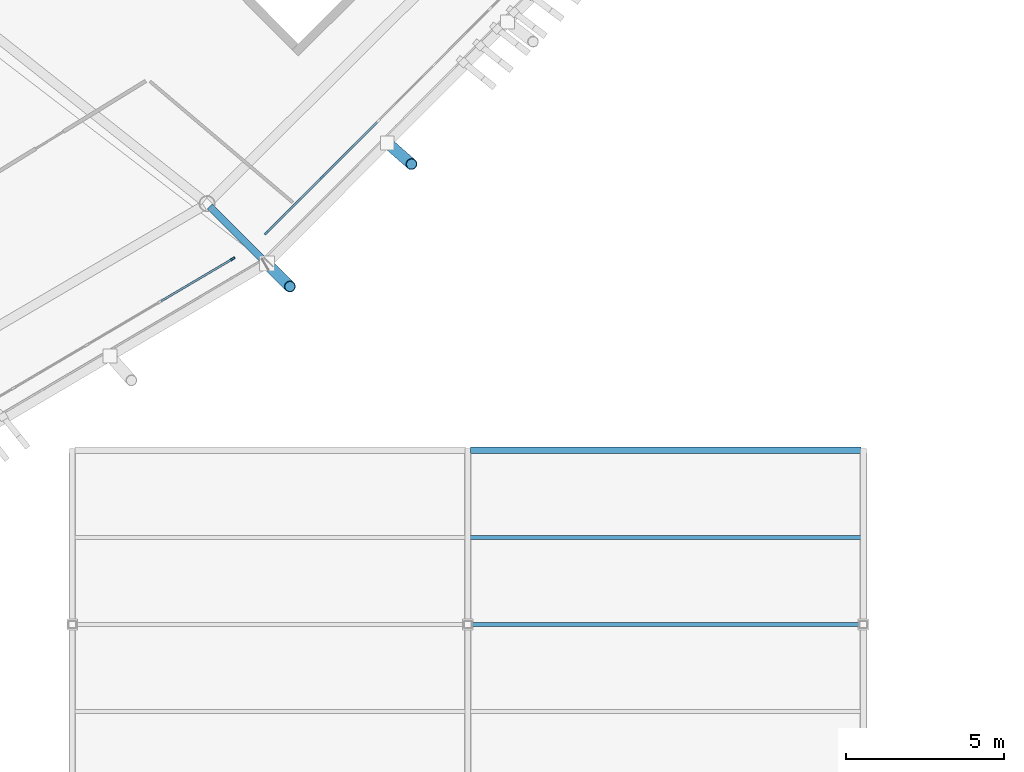
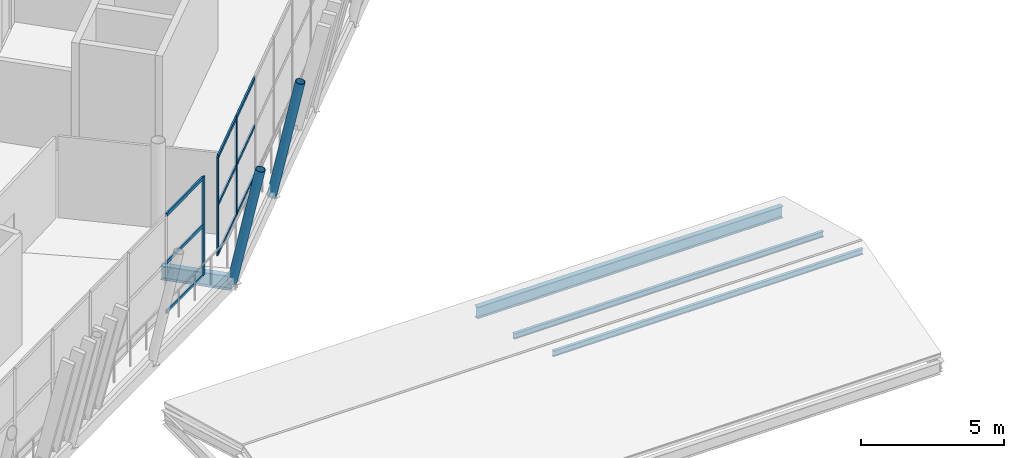
# One storey, part 55 of 179: 16 members, 2 beams, 2 elements without a shape of their own.
"""IFC4 building model written with IfcOpenShell, lengths in metres."""

import ifcopenshell
import ifcopenshell.guid

model = None  # the IFC model being written
_history = None  # IfcOwnerHistory: only IFC2X3 demands one
_inside = {}  # id of a spatial element -> (the spatial element, [elements in it])
_under = {}  # id of a project, library or spatial element -> (it, [spatial elements below it])
_declared = {}  # id of a project -> (the project, [libraries it declares])
_typed = {}  # id of a type object -> (the type object, [elements of that type])
_made_of = {}  # id of a material, layer set ... -> (it, [elements and type objects made of it])


def new_model(schema):
    """Start an empty IFC model of exactly this schema.

    Asked for "IFC4X3", IfcOpenShell would pick the latest addendum, in which some entities
    have other attributes; the version numbers below select the first issue.
    IFC2X3 requires an IfcOwnerHistory on every rooted entity: one is made here for all.
    """
    global model, _history
    if schema == "IFC4X3":
        model = ifcopenshell.file(schema_version=(4, 3, 0, 0))
    else:
        model = ifcopenshell.file(schema=schema)
    _inside.clear()
    _under.clear()
    _declared.clear()
    _typed.clear()
    _made_of.clear()
    _history = None
    if model.schema == "IFC2X3":
        org = make("IfcOrganization", Name="unknown")
        user = make(
            "IfcPersonAndOrganization",
            ThePerson=make("IfcPerson", FamilyName="unknown"),
            TheOrganization=org,
        )
        app = make(
            "IfcApplication",
            ApplicationDeveloper=org,
            Version="unknown",
            ApplicationFullName="unknown",
            ApplicationIdentifier="unknown",
        )
        _history = make(
            "IfcOwnerHistory",
            OwningUser=user,
            OwningApplication=app,
            ChangeAction="ADDED",
            CreationDate=0,
        )
    return model


def make(cls, **values):
    """One entity of the class cls with the attributes given. An attribute that is None is left unset."""
    return model.create_entity(
        cls, **{name: value for name, value in values.items() if value is not None}
    )


def rooted(cls, **values):
    """An entity with a GlobalId (a new one), such as an element, a storey or a relation."""
    return make(cls, GlobalId=ifcopenshell.guid.new(), OwnerHistory=_history, **values)


def si_unit(unit_type, name, prefix=None):
    """IfcSIUnit, for example si_unit("LENGTHUNIT", "METRE", prefix="MILLI")."""
    return make("IfcSIUnit", UnitType=unit_type, Prefix=prefix, Name=name)


def assignment(units):
    """IfcUnitAssignment: the units of a project."""
    return None if units is None else make("IfcUnitAssignment", Units=units)


def point(xyz):
    """IfcCartesianPoint."""
    return None if xyz is None else make("IfcCartesianPoint", Coordinates=xyz)


def direction(xyz):
    """IfcDirection."""
    return None if xyz is None else make("IfcDirection", DirectionRatios=xyz)


def frame(location, z_axis=None, x_axis=None):
    """IfcAxis2Placement3D, a coordinate frame: its origin and axes. An axis left out is left unset."""
    return make(
        "IfcAxis2Placement3D",
        Location=point(location),
        Axis=direction(z_axis),
        RefDirection=direction(x_axis),
    )


def frame_2d(location, x_axis=None):
    """IfcAxis2Placement2D, a coordinate frame in the plane: its origin and x axis."""
    return make(
        "IfcAxis2Placement2D", Location=point(location), RefDirection=direction(x_axis)
    )


def origin():
    """The frame at (0, 0, 0) with its axes left unset."""
    return frame((0.0, 0.0, 0.0))


def origin_2d():
    """The frame at (0, 0) in the plane with its x axis left unset."""
    return frame_2d((0.0, 0.0))


def place(relative_to, where):
    """IfcLocalPlacement: puts the frame where relative to a parent placement (None: the world)."""
    return make(
        "IfcLocalPlacement", PlacementRelTo=relative_to, RelativePlacement=where
    )


def context(
    kind, dimensions, precision=None, world=None, true_north=None, identifier=None
):
    """IfcGeometricRepresentationContext, for example the 3D "Model" context."""
    return make(
        "IfcGeometricRepresentationContext",
        ContextIdentifier=identifier,
        ContextType=kind,
        CoordinateSpaceDimension=dimensions,
        Precision=precision,
        WorldCoordinateSystem=world,
        TrueNorth=true_north,
    )


def subcontext(parent, identifier, kind, view, scale=None):
    """IfcGeometricRepresentationSubContext, for example "Body" below "Model"."""
    return make(
        "IfcGeometricRepresentationSubContext",
        ContextIdentifier=identifier,
        ContextType=kind,
        ParentContext=parent,
        TargetScale=scale,
        TargetView=view,
    )


def project(units=None, contexts=None):
    """IfcProject with its units and contexts."""
    return rooted(
        "IfcProject",
        Name="project",
        RepresentationContexts=contexts,
        UnitsInContext=assignment(units),
    )


def spatial(cls, under=None, at=None, **own):
    """A site, building, storey or space (cls), placed at a placement, below another one or the project."""
    s = rooted(cls, ObjectPlacement=at, **own)
    if under is not None:
        _under.setdefault(under.id(), (under, []))[1].append(s)
    return s


def profile(cls, at=None, kind="AREA", **sizes):
    """A parametric profile (cls). Its sizes go by their IFC names, for example OverallWidth=200.0."""
    return make(cls, ProfileType=kind, Position=at, **sizes)


def rectangle(**sizes):
    """IfcRectangleProfileDef."""
    return profile("IfcRectangleProfileDef", **sizes)


def hollow_circle(**sizes):
    """IfcCircleHollowProfileDef."""
    return profile("IfcCircleHollowProfileDef", **sizes)


def i_section(**sizes):
    """IfcIShapeProfileDef."""
    return profile("IfcIShapeProfileDef", **sizes)


def extrude(swept, where, along, depth):
    """IfcExtrudedAreaSolid: the profile swept, set in the frame where, extruded along a direction by depth."""
    return make(
        "IfcExtrudedAreaSolid",
        SweptArea=swept,
        Position=where,
        ExtrudedDirection=direction(along),
        Depth=depth,
    )


def shape(context_of_items, identifier, shape_type, items):
    """IfcShapeRepresentation: the items that make up one representation, for example the "Body"."""
    return make(
        "IfcShapeRepresentation",
        ContextOfItems=context_of_items,
        RepresentationIdentifier=identifier,
        RepresentationType=shape_type,
        Items=items,
    )


def material(Name=None, Category=None):
    """IfcMaterial."""
    return make("IfcMaterial", Name=Name, Category=Category)


def material_profile(
    of_material, cross_section, Name=None, Category=None, Priority=None
):
    """IfcMaterialProfile: a cross section and its material."""
    return make(
        "IfcMaterialProfile",
        Name=Name,
        Material=of_material,
        Profile=cross_section,
        Priority=Priority,
        Category=Category,
    )


def profile_set(profiles, Name=None, composite=None):
    """IfcMaterialProfileSet."""
    return make(
        "IfcMaterialProfileSet",
        Name=Name,
        MaterialProfiles=profiles,
        CompositeProfile=composite,
    )


def made_of(thing, what):
    """Note that an element or type object is made of a material, layer set ...; save() writes the relation."""
    if what is not None:
        _made_of.setdefault(what.id(), (what, []))[1].append(thing)
    return thing


def type_object(cls, material=None, **own):
    """A type object (cls), such as IfcWallType, which elements share."""
    return made_of(rooted(cls, **own), material)


def element(
    cls,
    number,
    at=None,
    inside=None,
    cuts=None,
    type_object=None,
    material=None,
    context=None,
    identifier="Body",
    shape_type=None,
    held_by="IfcProductDefinitionShape",
    body=None,
    shapes=None,
    **own,
):
    """One element of the class cls, such as IfcWall. Its Tag is "e" and its number.

    at: its placement. inside: the storey or other place that contains it. cuts: it is an
    opening in that element (IfcRelVoidsElement). A single representation is given by context,
    identifier, shape_type and body (its items); several are given by shapes. held_by: the class
    of the entity that holds the representations. save() writes the other relations.
    """
    e = rooted(cls, Tag="e%d" % number, ObjectPlacement=at, **own)
    if body is not None:
        shapes = [shape(context, identifier, shape_type, body)]
    if shapes is not None:
        e.Representation = make(held_by, Representations=shapes)
    if inside is not None:
        _inside.setdefault(inside.id(), (inside, []))[1].append(e)
    if cuts is not None:
        rooted(
            "IfcRelVoidsElement", RelatingBuildingElement=cuts, RelatedOpeningElement=e
        )
    if type_object is not None:
        _typed.setdefault(type_object.id(), (type_object, []))[1].append(e)
    return made_of(e, material)


def aggregate(whole, parts):
    """IfcRelAggregates: a whole, such as a stair, and the parts it consists of."""
    return rooted("IfcRelAggregates", RelatingObject=whole, RelatedObjects=parts)


def save(model, path):
    """Write the relations noted so far, then the file.

    IfcRelAggregates (storeys below a building ...), IfcRelContainedInSpatialStructure (elements
    in a storey), IfcRelDefinesByType, IfcRelAssociatesMaterial and IfcRelDeclares: one each for
    every whole, place, type object, material and project.
    """
    for whole, parts in _under.values():
        aggregate(whole, parts)
    for where, things in _inside.values():
        rooted(
            "IfcRelContainedInSpatialStructure",
            RelatedElements=things,
            RelatingStructure=where,
        )
    for kind, things in _typed.values():
        rooted("IfcRelDefinesByType", RelatedObjects=things, RelatingType=kind)
    for what, things in _made_of.values():
        rooted("IfcRelAssociatesMaterial", RelatedObjects=things, RelatingMaterial=what)
    for by, libraries in _declared.values():
        rooted("IfcRelDeclares", RelatingContext=by, RelatedDefinitions=libraries)
    model.write(path)


model = new_model("IFC4")

# Units and contexts
model_context = context("Model", 3, precision=1e-05, world=origin(), true_north=direction((0.0, 1.0)))
body_context = subcontext(model_context, "Body", "Model", "MODEL_VIEW")
ifc_project = project(units=[si_unit("LENGTHUNIT", "METRE"), si_unit("AREAUNIT", "SQUARE_METRE"), si_unit("VOLUMEUNIT", "CUBIC_METRE"), si_unit("PLANEANGLEUNIT", "RADIAN"), si_unit("MASSUNIT", "GRAM", prefix="KILO")], contexts=[model_context])

# Site, building, storey
site_placement = place(None, origin())
site = spatial("IfcSite", under=ifc_project, at=site_placement, CompositionType="ELEMENT")
building_placement = place(site_placement, origin())
building = spatial("IfcBuilding", under=site, at=building_placement, Name="Zlatoyarsky Gate Stadium", CompositionType="ELEMENT")
storey_placement = place(building_placement, frame((0.0, 0.0, 10.60009765625)))
storey = spatial("IfcBuildingStorey", under=building, at=storey_placement, Name="L02", CompositionType="ELEMENT", Elevation=10.60009765625)

# Curtain wall, member
ifc_material_1 = material(Name="Thermally broken anodised aluminium curtain wall", Category="aluminium")
curtain_wall_type = type_object("IfcCurtainWallType", Name="UNITISED HOSPITALITY GLAZING L02", PredefinedType="USERDEFINED", material=ifc_material_1)
curtain_wall_1_placement = place(storey_placement, origin())
curtain_wall_1 = element("IfcCurtainWall", 1, at=curtain_wall_1_placement, inside=storey, type_object=curtain_wall_type, Name="Curtain wall CW-L02-20", ObjectType="UNITISED GLAZING", PredefinedType="USERDEFINED")
ifc_material_2 = material(Name="Anodised aluminium 6063-T6", Category="aluminium")
ifc_material_profile_1 = material_profile(ifc_material_2, rectangle(XDim=0.06494140625, YDim=0.159912109375, at=origin_2d()), Name="ALU 65X160")
ifc_profile_set_1 = profile_set([ifc_material_profile_1], Name="Anodised aluminium 6063-T6")
member_type_1 = type_object("IfcMemberType", Name="ALUMINIUM MULLION 65X160", PredefinedType="MULLION", material=ifc_profile_set_1)
member_1_placement = place(storey_placement, frame((177.5703125, 28.051513671875, 0.0), z_axis=(0.0, 0.0, 1.0), x_axis=(-0.507884392586, 0.861425239802, 0.0)))
member_1 = element("IfcMember", 2, at=member_1_placement, type_object=member_type_1, Name="CW-UG2 mullion 9", PredefinedType="MULLION", context=body_context, shape_type="SweptSolid", body=[
    extrude(rectangle(XDim=0.06494140625, YDim=0.159912109375, at=origin_2d()), origin(), (0.0, 0.0, 1.0), 4.199951171875),
])

# Curtain wall, members
curtain_wall_2_placement = place(storey_placement, origin())
curtain_wall_2 = element("IfcCurtainWall", 3, at=curtain_wall_2_placement, inside=storey, type_object=curtain_wall_type, Name="Curtain wall CW-L02-21", ObjectType="UNITISED GLAZING", PredefinedType="USERDEFINED")
member_2_placement = place(storey_placement, frame((178.640380859375, 28.881103515625, 0.0), z_axis=(0.0, 0.0, 1.0), x_axis=(-0.707585188904, 0.706628049573, 0.0)))
member_2 = element("IfcMember", 4, at=member_2_placement, type_object=member_type_1, Name="CW-UG2 mullion 1", PredefinedType="MULLION", context=body_context, shape_type="SweptSolid", body=[
    extrude(rectangle(XDim=0.06494140625, YDim=0.159912109375, at=origin_2d()), origin(), (0.0, 0.0, 1.0), 4.199951171875),
])
member_3_placement = place(storey_placement, frame((180.38916015625, 30.63232421875, 0.0), z_axis=(0.0, 0.0, 1.0), x_axis=(-0.707585188904, 0.706628049573, 0.0)))
member_3 = element("IfcMember", 5, at=member_3_placement, type_object=member_type_1, Name="CW-UG2 mullion 2", PredefinedType="MULLION", context=body_context, shape_type="SweptSolid", body=[
    extrude(rectangle(XDim=0.06494140625, YDim=0.159912109375, at=origin_2d()), origin(), (0.0, 0.0, 1.0), 4.199951171875),
])

# Member
ifc_material_profile_2 = material_profile(ifc_material_2, rectangle(XDim=0.06494140625, YDim=0.139892578125, at=origin_2d()), Name="ALU 65X140")
ifc_profile_set_2 = profile_set([ifc_material_profile_2], Name="Anodised aluminium 6063-T6")
member_type_2 = type_object("IfcMemberType", Name="ALUMINIUM TRANSOM 65X140", PredefinedType="USERDEFINED", material=ifc_profile_set_2)
member_4_placement = place(storey_placement, frame((175.307373046875, 26.717529296875, 0.032470703125), z_axis=(0.861428189178, 0.507879390102, 0.0), x_axis=(-0.507879390102, 0.861428189178, 0.0)))
member_4 = element("IfcMember", 6, at=member_4_placement, type_object=member_type_2, Name="CW-UG2 transom 8.1", ObjectType="TRANSOM", PredefinedType="USERDEFINED", context=body_context, shape_type="SweptSolid", body=[
    extrude(rectangle(XDim=0.06494140625, YDim=0.139892578125, at=origin_2d()), origin(), (0.0, 0.0, 1.0), 2.594482421875),
])

member_5_placement = place(storey_placement, frame((175.307373046875, 26.717529296875, 2.14990234375), z_axis=(0.861428189178, 0.507879390102, 0.0), x_axis=(-0.507879390102, 0.861428189178, 0.0)))
member_5 = element("IfcMember", 7, at=member_5_placement, type_object=member_type_2, Name="CW-UG2 transom 8.2", ObjectType="TRANSOM", PredefinedType="USERDEFINED", context=body_context, shape_type="SweptSolid", body=[
    extrude(rectangle(XDim=0.06494140625, YDim=0.139892578125, at=origin_2d()), origin(), (0.0, 0.0, 1.0), 2.594482421875),
])

member_6_placement = place(storey_placement, frame((175.307373046875, 26.717529296875, 4.16748046875), z_axis=(0.861428189178, 0.507879390102, 0.0), x_axis=(-0.507879390102, 0.861428189178, 0.0)))
member_6 = element("IfcMember", 8, at=member_6_placement, type_object=member_type_2, Name="CW-UG2 transom 8.3", ObjectType="TRANSOM", PredefinedType="USERDEFINED", context=body_context, shape_type="SweptSolid", body=[
    extrude(rectangle(XDim=0.06494140625, YDim=0.139892578125, at=origin_2d()), origin(), (0.0, 0.0, 1.0), 2.594482421875),
])

aggregate(curtain_wall_1, [member_1, member_4, member_5, member_6])

member_7_placement = place(storey_placement, frame((178.663330078125, 28.904052734375, 0.032470703125), z_axis=(0.706600076415, 0.707613123119, 0.0), x_axis=(-0.707613123119, 0.706600076415, 0.0)))
member_7 = element("IfcMember", 9, at=member_7_placement, type_object=member_type_2, Name="CW-UG2 transom 1.1", ObjectType="TRANSOM", PredefinedType="USERDEFINED", context=body_context, shape_type="SweptSolid", body=[
    extrude(rectangle(XDim=0.06494140625, YDim=0.139892578125, at=origin_2d()), origin(), (0.0, 0.0, 1.0), 2.409912109375),
])

member_8_placement = place(storey_placement, frame((178.663330078125, 28.904052734375, 2.14990234375), z_axis=(0.706600076415, 0.707613123119, 0.0), x_axis=(-0.707613123119, 0.706600076415, 0.0)))
member_8 = element("IfcMember", 10, at=member_8_placement, type_object=member_type_2, Name="CW-UG2 transom 1.2", ObjectType="TRANSOM", PredefinedType="USERDEFINED", context=body_context, shape_type="SweptSolid", body=[
    extrude(rectangle(XDim=0.06494140625, YDim=0.139892578125, at=origin_2d()), origin(), (0.0, 0.0, 1.0), 2.409912109375),
])

member_9_placement = place(storey_placement, frame((178.663330078125, 28.904052734375, 4.16748046875), z_axis=(0.706600076415, 0.707613123119, 0.0), x_axis=(-0.707613123119, 0.706600076415, 0.0)))
member_9 = element("IfcMember", 11, at=member_9_placement, type_object=member_type_2, Name="CW-UG2 transom 1.3", ObjectType="TRANSOM", PredefinedType="USERDEFINED", context=body_context, shape_type="SweptSolid", body=[
    extrude(rectangle(XDim=0.06494140625, YDim=0.139892578125, at=origin_2d()), origin(), (0.0, 0.0, 1.0), 2.409912109375),
])

member_10_placement = place(storey_placement, frame((180.412109375, 30.6552734375, 0.032470703125), z_axis=(0.706656856545, 0.707556419728, 0.0), x_axis=(-0.707556419728, 0.706656856545, 0.0)))
member_10 = element("IfcMember", 12, at=member_10_placement, type_object=member_type_2, Name="CW-UG2 transom 2.1", ObjectType="TRANSOM", PredefinedType="USERDEFINED", context=body_context, shape_type="SweptSolid", body=[
    extrude(rectangle(XDim=0.06494140625, YDim=0.139892578125, at=origin_2d()), origin(), (0.0, 0.0, 1.0), 2.442626953125),
])

member_11_placement = place(storey_placement, frame((180.412109375, 30.6552734375, 2.14990234375), z_axis=(0.706656856545, 0.707556419728, 0.0), x_axis=(-0.707556419728, 0.706656856545, 0.0)))
member_11 = element("IfcMember", 13, at=member_11_placement, type_object=member_type_2, Name="CW-UG2 transom 2.2", ObjectType="TRANSOM", PredefinedType="USERDEFINED", context=body_context, shape_type="SweptSolid", body=[
    extrude(rectangle(XDim=0.06494140625, YDim=0.139892578125, at=origin_2d()), origin(), (0.0, 0.0, 1.0), 2.442626953125),
])

member_12_placement = place(storey_placement, frame((180.412109375, 30.6552734375, 4.16748046875), z_axis=(0.706656856545, 0.707556419728, 0.0), x_axis=(-0.707556419728, 0.706656856545, 0.0)))
member_12 = element("IfcMember", 14, at=member_12_placement, type_object=member_type_2, Name="CW-UG2 transom 2.3", ObjectType="TRANSOM", PredefinedType="USERDEFINED", context=body_context, shape_type="SweptSolid", body=[
    extrude(rectangle(XDim=0.06494140625, YDim=0.139892578125, at=origin_2d()), origin(), (0.0, 0.0, 1.0), 2.442626953125),
])

aggregate(curtain_wall_2, [member_2, member_3, member_7, member_8, member_9, member_10, member_11, member_12])

# Beams
ifc_material_3 = material(Name="Steel S355", Category="steel")
ifc_material_profile_3 = material_profile(ifc_material_3, i_section(OverallWidth=0.219970703125, OverallDepth=0.60009765625, WebThickness=0.011962890625, FlangeThickness=0.01904296875, FilletRadius=0.02392578125, at=origin_2d()), Name="IPE 600")
ifc_profile_set_3 = profile_set([ifc_material_profile_3], Name="Steel S355")
beam_type_1 = type_object("IfcBeamType", Name="STEEL CANTILEVER FLOOR BEAM IPE 600", PredefinedType="BEAM", material=ifc_profile_set_3)
beam_1_placement = place(storey_placement, frame((176.845703125, 29.71044921875, -0.580078125), z_axis=(0.707154540923, -0.707059018224, 0.0), x_axis=(0.707059018224, 0.707154540923, 0.0)))
element("IfcBeam", 15, at=beam_1_placement, inside=storey, type_object=beam_type_1, Name="Beam B-IPE600 BM-L02-OUT-21", PredefinedType="BEAM", context=body_context, shape_type="SweptSolid", body=[
    extrude(i_section(OverallWidth=0.219970703125, OverallDepth=0.60009765625, WebThickness=0.011962890625, FlangeThickness=0.01904296875, FilletRadius=0.02392578125, at=origin_2d()), origin(), (0.0, 0.0, 1.0), 2.555908203125),
])
ifc_material_profile_4 = material_profile(ifc_material_3, i_section(OverallWidth=0.199951171875, OverallDepth=0.5, WebThickness=0.01025390625, FlangeThickness=0.01611328125, FilletRadius=0.02099609375, at=origin_2d()), Name="IPE 500")
ifc_profile_set_4 = profile_set([ifc_material_profile_4], Name="Steel S355")
beam_type_2 = type_object("IfcBeamType", Name="STEEL FLOOR BEAM IPE 500", PredefinedType="BEAM", material=ifc_profile_set_4)
beam_2_placement = place(storey_placement, frame((185.080078125, 22.0, -0.530029296875), z_axis=(1.0, 0.0, 0.0), x_axis=(0.0, 1.0, 0.0)))
element("IfcBeam", 16, at=beam_2_placement, inside=storey, type_object=beam_type_2, Name="Beam B-IPE500 BM-L02-WGX-16-C", PredefinedType="BEAM", context=body_context, shape_type="SweptSolid", body=[
    extrude(i_section(OverallWidth=0.199951171875, OverallDepth=0.5, WebThickness=0.01025390625, FlangeThickness=0.01611328125, FilletRadius=0.02099609375, at=origin_2d()), origin(), (0.0, 0.0, 1.0), 12.33984375),
])

# Members
ifc_material_profile_5 = material_profile(ifc_material_3, hollow_circle(Radius=0.177734375, WallThickness=0.02001953125, at=origin_2d()), Name="CHS 355.6X20")
ifc_profile_set_5 = profile_set([ifc_material_profile_5], Name="Steel S355")
member_type_3 = type_object("IfcMemberType", Name="STEEL LEANING RIB RING STRUT CHS 355.6X20", PredefinedType="STRUT", material=ifc_profile_set_5)
member_13_placement = place(storey_placement, frame((178.653076171875, 27.9033203125, -0.580078125), z_axis=(0.142200329334, -0.142200329334, 0.979570381685), x_axis=(0.707106781187, 0.707106781187, 0.0)))
element("IfcMember", 17, at=member_13_placement, inside=storey, type_object=member_type_3, Name="Leaning ring strut 21 L02 to L03", PredefinedType="STRUT", context=body_context, shape_type="SweptSolid", body=[
    extrude(hollow_circle(Radius=0.177734375, WallThickness=0.02001953125, at=origin_2d()), origin(), (0.0, 0.0, 1.0), 5.104248046875),
])
member_14_placement = place(storey_placement, frame((182.454345703125, 31.718017578125, -0.530029296875), z_axis=(0.150180429646, -0.131808564408, 0.979832812729), x_axis=(0.659639578482, 0.751582082343, 0.0)))
element("IfcMember", 18, at=member_14_placement, inside=storey, type_object=member_type_3, Name="Outward-leaning bowl louvre fin rib L02 21-1", PredefinedType="STRUT", context=body_context, shape_type="SweptSolid", body=[
    extrude(hollow_circle(Radius=0.177734375, WallThickness=0.02001953125, at=origin_2d()), origin(), (0.0, 0.0, 1.0), 5.10302734375),
])
ifc_material_profile_6 = material_profile(ifc_material_3, i_section(OverallWidth=0.1201171875, OverallDepth=0.239990234375, WebThickness=0.006103515625, FlangeThickness=0.009765625, FilletRadius=0.014892578125, at=origin_2d()), Name="IPE 240")
ifc_profile_set_6 = profile_set([ifc_material_profile_6], Name="Steel S355")
member_type_4 = type_object("IfcMemberType", Name="STEEL PAVILION ROOF PURLIN IPE 240", PredefinedType="PURLIN", material=ifc_profile_set_6)
for number, where, z_axis, x_axis, name in (
    (19, (185.0, 16.5, 1.06982421875), (1.0, 0.0, 0.0), (0.0, 1.0, 0.0), "V6_SE ridge purlin 2"),
    (20, (185.0, 19.25, 0.14501953125), (1.0, 0.0, 0.0), (0.0, 1.0, 0.0), "V6_SE roof purlin 2N"),
):
    element("IfcMember", number, at=place(storey_placement, frame(where, z_axis=z_axis, x_axis=x_axis)), inside=storey, type_object=member_type_4, Name=name, PredefinedType="PURLIN", context=body_context, shape_type="SweptSolid", body=[
        extrude(i_section(OverallWidth=0.1201171875, OverallDepth=0.239990234375, WebThickness=0.006103515625, FlangeThickness=0.009765625, FilletRadius=0.014892578125, at=origin_2d()), origin(), (0.0, 0.0, 1.0), 12.5),
    ])

save(model, "model.ifc")
